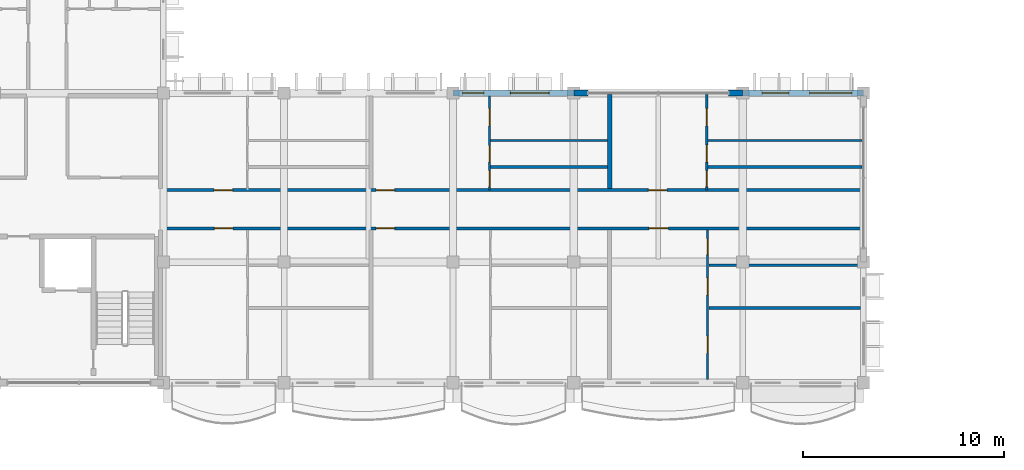
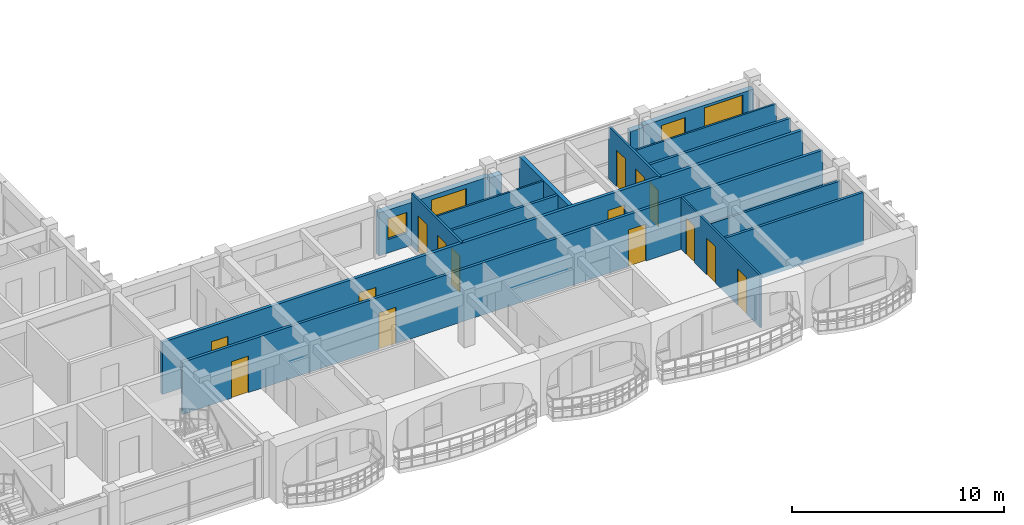
# One storey, part 26 of 76: 16 walls, 15 doors, 4 windows, 19 openings.
"""IFC4 building model written with IfcOpenShell, lengths in metres."""

from ifc_helpers import new_model, si_unit, direction, frame, frame_2d, origin, place, context, subcontext, project, spatial, rectangle, extrude, material, layer, layer_set, type_object, element, fill, save


model = new_model("IFC4")

# Units and contexts
model_context = context("Model", 3, precision=1e-05, world=origin(), true_north=direction((0.0, 1.0)))
body_context = subcontext(model_context, "Body", "Model", "MODEL_VIEW")
ifc_project = project(units=[si_unit("LENGTHUNIT", "METRE"), si_unit("AREAUNIT", "SQUARE_METRE"), si_unit("VOLUMEUNIT", "CUBIC_METRE"), si_unit("PLANEANGLEUNIT", "RADIAN"), si_unit("MASSUNIT", "GRAM", prefix="KILO"), si_unit("THERMODYNAMICTEMPERATUREUNIT", "KELVIN")], contexts=[model_context])

# Site, building, storey
site_placement = place(None, origin())
site = spatial("IfcSite", under=ifc_project, at=site_placement, CompositionType="ELEMENT")
building_placement = place(site_placement, origin())
building = spatial("IfcBuilding", under=site, at=building_placement, Name="Thalorik Housing Commons", CompositionType="ELEMENT")
storey_placement = place(building_placement, frame((0.0, 0.0, 18.0)))
storey = spatial("IfcBuildingStorey", under=building, at=storey_placement, Name="L05", CompositionType="ELEMENT", Elevation=18.0)

# Wall, openings, doors
ifc_material_1 = material(Name="Masonry fire-rated corridor wall", Category="masonry")
ifc_layer_1 = layer(ifc_material_1, 0.14990234375, Name="Masonry fire-rated corridor wall", Category="masonry")
ifc_layer_set_1 = layer_set([ifc_layer_1], Name="Masonry fire-rated corridor wall")
wall_type_1 = type_object("IfcWallType", Name="ARC-WAL-CORR-150", PredefinedType="PARTITIONING", material=ifc_layer_set_1)
wall_1_placement = place(storey_placement, frame((22.659912109375, 16.080078125, 0.0), z_axis=(0.0, 0.0, 1.0), x_axis=(1.0, 0.0, 0.0)))
wall_1 = element("IfcWall", 1, at=wall_1_placement, inside=storey, type_object=wall_type_1, Name="L05 Block C S Corridor Wall 1", PredefinedType="PARTITIONING", context=body_context, shape_type="SweptSolid", body=[
    extrude(rectangle(XDim=34.880126953125, YDim=0.14990234375, at=frame_2d((17.43994140625, 0.0))), origin(), (0.0, 0.0, 1.0), 3.0),
])
opening_1_placement = place(wall_1_placement, frame((2.671630859375, 0.0, 0.0)))
opening_1 = element("IfcOpeningElement", 2, at=opening_1_placement, cuts=wall_1, Name="Opening ID-1788", PredefinedType="OPENING", context=body_context, shape_type="SweptSolid", body=[
    extrude(rectangle(XDim=0.919921875, YDim=2.10009765625, at=frame_2d((0.4599609375, 1.050048828125))), frame((0.0, 0.0849609375, 0.0), z_axis=(0.0, -1.0, 0.0), x_axis=(1.0, 0.0, 0.0)), (0.0, 0.0, 1.0), 0.169921875),
])
opening_2_placement = place(wall_1_placement, frame((10.7099609375, 0.0, 0.0)))
opening_2 = element("IfcOpeningElement", 3, at=opening_2_placement, cuts=wall_1, Name="Opening ID-1789", PredefinedType="OPENING", context=body_context, shape_type="SweptSolid", body=[
    extrude(rectangle(XDim=0.919921875, YDim=2.10009765625, at=frame_2d((0.4599609375, 1.050048828125))), frame((0.0, 0.0849609375, 0.0), z_axis=(0.0, -1.0, 0.0), x_axis=(1.0, 0.0, 0.0)), (0.0, 0.0, 1.0), 0.169921875),
])
opening_3_placement = place(wall_1_placement, frame((24.280029296875, 0.0, 0.0)))
opening_3 = element("IfcOpeningElement", 4, at=opening_3_placement, cuts=wall_1, Name="Opening ID-1790", PredefinedType="OPENING", context=body_context, shape_type="SweptSolid", body=[
    extrude(rectangle(XDim=0.9599609375, YDim=2.1201171875, at=frame_2d((0.47998046875, 1.06005859375))), frame((0.0, 0.0849609375, 0.0), z_axis=(0.0, -1.0, 0.0), x_axis=(1.0, 0.0, 0.0)), (0.0, 0.0, 1.0), 0.169921875),
])
ifc_material_2 = material(Name="Solid core hardwood timber", Category="wood")
door_type_1 = type_object("IfcDoorType", Name="ARC-DR-FD30-920", OperationType="NOTDEFINED", PredefinedType="DOOR", material=ifc_material_2)
door_1_placement = place(opening_1_placement, origin())
door_1 = element("IfcDoor", 5, at=door_1_placement, inside=storey, type_object=door_type_1, Name="L05 Flat CS-1A Entrance Door", OperationType="SINGLE_SWING_LEFT", OverallHeight=2.10009765625, OverallWidth=0.919921875, PredefinedType="DOOR", context=body_context, shape_type="SweptSolid", body=[
    extrude(rectangle(XDim=0.919921875, YDim=2.10009765625, at=frame_2d((0.4599609375, 1.050048828125))), frame((0.0, 0.02490234375, 0.0), z_axis=(0.0, -1.0, 0.0), x_axis=(1.0, 0.0, 0.0)), (0.0, 0.0, 1.0), 0.050048828125),
])
fill(opening_1, door_1)
door_2_placement = place(opening_2_placement, origin())
door_2 = element("IfcDoor", 6, at=door_2_placement, inside=storey, type_object=door_type_1, Name="L05 Flat CS-2A Entrance Door", OperationType="SINGLE_SWING_RIGHT", OverallHeight=2.10009765625, OverallWidth=0.919921875, PredefinedType="DOOR", context=body_context, shape_type="SweptSolid", body=[
    extrude(rectangle(XDim=0.919921875, YDim=2.10009765625, at=frame_2d((0.4599609375, 1.050048828125))), frame((0.0, 0.02490234375, 0.0), z_axis=(0.0, -1.0, 0.0), x_axis=(1.0, 0.0, 0.0)), (0.0, 0.0, 1.0), 0.050048828125),
])
fill(opening_2, door_2)
door_type_2 = type_object("IfcDoorType", Name="ARC-DR-FD30-960", OperationType="NOTDEFINED", PredefinedType="DOOR", material=ifc_material_2)
door_3_placement = place(opening_3_placement, origin())
door_3 = element("IfcDoor", 7, at=door_3_placement, inside=storey, type_object=door_type_2, Name="L05 Flat CS-3A Entrance Door", OperationType="SINGLE_SWING_LEFT", OverallHeight=2.1201171875, OverallWidth=0.9599609375, PredefinedType="DOOR", context=body_context, shape_type="SweptSolid", body=[
    extrude(rectangle(XDim=0.9599609375, YDim=2.1201171875, at=frame_2d((0.47998046875, 1.06005859375))), frame((0.0, 0.02490234375, 0.0), z_axis=(0.0, -1.0, 0.0), x_axis=(1.0, 0.0, 0.0)), (0.0, 0.0, 1.0), 0.050048828125),
])
fill(opening_3, door_3)

ifc_layer_2 = layer(ifc_material_1, 0.1650390625, Name="Masonry fire-rated corridor wall", Category="masonry")
ifc_layer_set_2 = layer_set([ifc_layer_2], Name="Masonry fire-rated corridor wall")
wall_type_2 = type_object("IfcWallType", Name="ARC-WAL-CORR-165", PredefinedType="PARTITIONING", material=ifc_layer_set_2)
wall_2_placement = place(storey_placement, frame((22.659912109375, 17.97998046875, 0.0), z_axis=(0.0, 0.0, 1.0), x_axis=(1.0, 0.0, 0.0)))
wall_2 = element("IfcWall", 8, at=wall_2_placement, inside=storey, type_object=wall_type_2, Name="L05 Block C S Corridor Wall 2", PredefinedType="PARTITIONING", context=body_context, shape_type="SweptSolid", body=[
    extrude(rectangle(XDim=34.880126953125, YDim=0.1650390625, at=frame_2d((17.43994140625, 0.0))), origin(), (0.0, 0.0, 1.0), 3.0),
])
opening_4_placement = place(wall_2_placement, frame((2.663818359375, 0.0, 0.0)))
opening_4 = element("IfcOpeningElement", 9, at=opening_4_placement, cuts=wall_2, Name="Opening ID-1791", PredefinedType="OPENING", context=body_context, shape_type="SweptSolid", body=[
    extrude(rectangle(XDim=0.919921875, YDim=2.10009765625, at=frame_2d((0.4599609375, 1.050048828125))), frame((0.0, 0.092529296875, 0.0), z_axis=(0.0, -1.0, 0.0), x_axis=(1.0, 0.0, 0.0)), (0.0, 0.0, 1.0), 0.18505859375),
])
opening_5_placement = place(wall_2_placement, frame((10.7099609375, 0.0, 0.0)))
opening_5 = element("IfcOpeningElement", 10, at=opening_5_placement, cuts=wall_2, Name="Opening ID-1792", PredefinedType="OPENING", context=body_context, shape_type="SweptSolid", body=[
    extrude(rectangle(XDim=0.919921875, YDim=2.10009765625, at=frame_2d((0.4599609375, 1.050048828125))), frame((0.0, 0.092529296875, 0.0), z_axis=(0.0, -1.0, 0.0), x_axis=(1.0, 0.0, 0.0)), (0.0, 0.0, 1.0), 0.18505859375),
])
opening_6_placement = place(wall_2_placement, frame((24.25439453125, 0.0, 0.0)))
opening_6 = element("IfcOpeningElement", 11, at=opening_6_placement, cuts=wall_2, Name="Opening ID-1793", PredefinedType="OPENING", context=body_context, shape_type="SweptSolid", body=[
    extrude(rectangle(XDim=0.919921875, YDim=2.10009765625, at=frame_2d((0.4599609375, 1.050048828125))), frame((0.0, 0.092529296875, 0.0), z_axis=(0.0, -1.0, 0.0), x_axis=(1.0, 0.0, 0.0)), (0.0, 0.0, 1.0), 0.18505859375),
])
door_4_placement = place(opening_4_placement, origin())
door_4 = element("IfcDoor", 12, at=door_4_placement, inside=storey, type_object=door_type_1, Name="L05 Flat CS-1B Entrance Door", OperationType="SINGLE_SWING_RIGHT", OverallHeight=2.10009765625, OverallWidth=0.919921875, PredefinedType="DOOR", context=body_context, shape_type="SweptSolid", body=[
    extrude(rectangle(XDim=0.919921875, YDim=2.10009765625, at=frame_2d((0.4599609375, 1.050048828125))), frame((0.0, 0.02490234375, 0.0), z_axis=(0.0, -1.0, 0.0), x_axis=(1.0, 0.0, 0.0)), (0.0, 0.0, 1.0), 0.050048828125),
])
fill(opening_4, door_4)
door_5_placement = place(opening_5_placement, origin())
door_5 = element("IfcDoor", 13, at=door_5_placement, inside=storey, type_object=door_type_1, Name="L05 Flat CS-2B Entrance Door", OperationType="SINGLE_SWING_LEFT", OverallHeight=2.10009765625, OverallWidth=0.919921875, PredefinedType="DOOR", context=body_context, shape_type="SweptSolid", body=[
    extrude(rectangle(XDim=0.919921875, YDim=2.10009765625, at=frame_2d((0.4599609375, 1.050048828125))), frame((0.0, 0.02490234375, 0.0), z_axis=(0.0, -1.0, 0.0), x_axis=(1.0, 0.0, 0.0)), (0.0, 0.0, 1.0), 0.050048828125),
])
fill(opening_5, door_5)
door_6_placement = place(opening_6_placement, origin())
door_6 = element("IfcDoor", 14, at=door_6_placement, inside=storey, type_object=door_type_1, Name="L05 Flat CS-3B Entrance Door", OperationType="SINGLE_SWING_RIGHT", OverallHeight=2.10009765625, OverallWidth=0.919921875, PredefinedType="DOOR", context=body_context, shape_type="SweptSolid", body=[
    extrude(rectangle(XDim=0.919921875, YDim=2.10009765625, at=frame_2d((0.4599609375, 1.050048828125))), frame((0.0, 0.02490234375, 0.0), z_axis=(0.0, -1.0, 0.0), x_axis=(1.0, 0.0, 0.0)), (0.0, 0.0, 1.0), 0.050048828125),
])
fill(opening_6, door_6)

# Wall, openings, windows
ifc_material_3 = material(Name="White precast concrete C40/50", Category="concrete")
ifc_layer_3 = layer(ifc_material_3, 0.304931640625, Name="White precast concrete C40/50", Category="concrete")
ifc_layer_set_3 = layer_set([ifc_layer_3], Name="White precast concrete C40/50")
wall_type_3 = type_object("IfcWallType", Name="ARC-WAL-EXT-305", PredefinedType="STANDARD", material=ifc_layer_set_3)
wall_3_placement = place(storey_placement, frame((57.60009765625, 22.800048828125, 0.0), z_axis=(0.0, 0.0, 1.0), x_axis=(-1.0, 0.0, 0.0)))
wall_3 = element("IfcWall", 15, at=wall_3_placement, inside=storey, type_object=wall_type_3, Name="L05 Exterior Wall WAL-EXT-L05-C-0984", PredefinedType="STANDARD", context=body_context, shape_type="SweptSolid", body=[
    extrude(rectangle(XDim=6.0, YDim=0.304931640625, at=frame_2d((3.0, 0.0))), origin(), (0.0, 0.0, 1.0), 2.47509765625),
])
opening_7_placement = place(wall_3_placement, frame((0.580078125, 0.0, 0.780029296875)))
opening_7 = element("IfcOpeningElement", 16, at=opening_7_placement, cuts=wall_3, Name="Opening W-26", PredefinedType="OPENING", context=body_context, shape_type="SweptSolid", body=[
    extrude(rectangle(XDim=2.10009765625, YDim=1.550048828125, at=frame_2d((1.050048828125, 0.77490234375))), frame((0.0, 0.16259765625, 0.0), z_axis=(0.0, -1.0, 0.0), x_axis=(1.0, 0.0, 0.0)), (0.0, 0.0, 1.0), 0.324951171875),
])
opening_8_placement = place(wall_3_placement, frame((3.7099609375, 0.0, 0.780029296875)))
opening_8 = element("IfcOpeningElement", 17, at=opening_8_placement, cuts=wall_3, Name="Opening W-48", PredefinedType="OPENING", context=body_context, shape_type="SweptSolid", body=[
    extrude(rectangle(XDim=1.320068359375, YDim=1.35009765625, at=frame_2d((0.66015625, 0.675048828125))), frame((0.0, 0.16259765625, 0.0), z_axis=(0.0, -1.0, 0.0), x_axis=(1.0, 0.0, 0.0)), (0.0, 0.0, 1.0), 0.324951171875),
])
ifc_material_4 = material(Name="Anodised aluminium and solar-control low-E glass", Category="aluminium")
window_type_1 = type_object("IfcWindowType", Name="ARC-WIN-26", PartitioningType="DOUBLE_PANEL_VERTICAL", PredefinedType="WINDOW", material=ifc_material_4)
window_1_placement = place(opening_7_placement, origin())
window_1 = element("IfcWindow", 18, at=window_1_placement, inside=storey, type_object=window_type_1, Name="L05 Facade Window 1817", OverallHeight=1.550048828125, OverallWidth=2.10009765625, PartitioningType="DOUBLE_PANEL_VERTICAL", PredefinedType="WINDOW", context=body_context, shape_type="SweptSolid", body=[
    extrude(rectangle(XDim=2.10009765625, YDim=1.550048828125, at=frame_2d((1.050048828125, 0.77490234375))), frame((0.0, 0.030029296875, 0.0), z_axis=(0.0, -1.0, 0.0), x_axis=(1.0, 0.0, 0.0)), (0.0, 0.0, 1.0), 0.06005859375),
])
fill(opening_7, window_1)
window_type_2 = type_object("IfcWindowType", Name="ARC-WIN-48", PartitioningType="SINGLE_PANEL", PredefinedType="WINDOW", material=ifc_material_4)
window_2_placement = place(opening_8_placement, origin())
window_2 = element("IfcWindow", 19, at=window_2_placement, inside=storey, type_object=window_type_2, Name="L05 Facade Window 1818", OverallHeight=1.35009765625, OverallWidth=1.320068359375, PartitioningType="SINGLE_PANEL", PredefinedType="WINDOW", context=body_context, shape_type="SweptSolid", body=[
    extrude(rectangle(XDim=1.320068359375, YDim=1.35009765625, at=frame_2d((0.66015625, 0.675048828125))), frame((0.0, 0.030029296875, 0.0), z_axis=(0.0, -1.0, 0.0), x_axis=(1.0, 0.0, 0.0)), (0.0, 0.0, 1.0), 0.06005859375),
])
fill(opening_8, window_2)

# Walls
wall_4_placement = place(storey_placement, frame((51.60009765625, 22.800048828125, 0.0), z_axis=(0.0, 0.0, 1.0), x_axis=(-1.0, 0.0, 0.0)))
element("IfcWall", 20, at=wall_4_placement, inside=storey, type_object=wall_type_3, Name="L05 Exterior Wall WAL-PIERL-L05-C-0985", PredefinedType="STANDARD", context=body_context, shape_type="SweptSolid", body=[
    extrude(rectangle(XDim=0.7001953125, YDim=0.304931640625, at=frame_2d((0.35009765625, 0.0))), origin(), (0.0, 0.0, 1.0), 2.375),
])
wall_5_placement = place(storey_placement, frame((43.89990234375, 22.800048828125, 0.0), z_axis=(0.0, 0.0, 1.0), x_axis=(-1.0, 0.0, 0.0)))
element("IfcWall", 21, at=wall_5_placement, inside=storey, type_object=wall_type_3, Name="L05 Exterior Wall WAL-PIERR-L05-C-0985", PredefinedType="STANDARD", context=body_context, shape_type="SweptSolid", body=[
    extrude(rectangle(XDim=0.699951171875, YDim=0.304931640625, at=frame_2d((0.35009765625, 0.0))), origin(), (0.0, 0.0, 1.0), 2.375),
])

# Wall, openings, windows
wall_6_placement = place(storey_placement, frame((43.199951171875, 22.800048828125, 0.0), z_axis=(0.0, 0.0, 1.0), x_axis=(-1.0, 0.0, 0.0)))
wall_6 = element("IfcWall", 22, at=wall_6_placement, inside=storey, type_object=wall_type_3, Name="L05 Exterior Wall WAL-EXT-L05-C-0986", PredefinedType="STANDARD", context=body_context, shape_type="SweptSolid", body=[
    extrude(rectangle(XDim=6.0, YDim=0.304931640625, at=frame_2d((3.0, 0.0))), origin(), (0.0, 0.0, 1.0), 2.47509765625),
])
opening_9_placement = place(wall_6_placement, frame((1.228515625, 0.0, 0.780029296875)))
opening_9 = element("IfcOpeningElement", 23, at=opening_9_placement, cuts=wall_6, Name="Opening W-60", PredefinedType="OPENING", context=body_context, shape_type="SweptSolid", body=[
    extrude(rectangle(XDim=1.919921875, YDim=1.43994140625, at=frame_2d((0.9599609375, 0.719970703125))), frame((0.0, 0.16259765625, 0.0), z_axis=(0.0, -1.0, 0.0), x_axis=(1.0, 0.0, 0.0)), (0.0, 0.0, 1.0), 0.324951171875),
])
opening_10_placement = place(wall_6_placement, frame((4.4736328125, 0.0, 0.780029296875)))
opening_10 = element("IfcOpeningElement", 24, at=opening_10_placement, cuts=wall_6, Name="Opening W-44", PredefinedType="OPENING", context=body_context, shape_type="SweptSolid", body=[
    extrude(rectangle(XDim=1.050048828125, YDim=1.199951171875, at=frame_2d((0.52490234375, 0.60009765625))), frame((0.0, 0.16259765625, 0.0), z_axis=(0.0, -1.0, 0.0), x_axis=(1.0, 0.0, 0.0)), (0.0, 0.0, 1.0), 0.324951171875),
])
window_type_3 = type_object("IfcWindowType", Name="ARC-WIN-44", PartitioningType="SINGLE_PANEL", PredefinedType="WINDOW", material=ifc_material_4)
window_3_placement = place(opening_10_placement, origin())
window_3 = element("IfcWindow", 25, at=window_3_placement, inside=storey, type_object=window_type_3, Name="L05 Facade Window 1820", OverallHeight=1.199951171875, OverallWidth=1.050048828125, PartitioningType="SINGLE_PANEL", PredefinedType="WINDOW", context=body_context, shape_type="SweptSolid", body=[
    extrude(rectangle(XDim=1.050048828125, YDim=1.199951171875, at=frame_2d((0.52490234375, 0.60009765625))), frame((0.0, 0.030029296875, 0.0), z_axis=(0.0, -1.0, 0.0), x_axis=(1.0, 0.0, 0.0)), (0.0, 0.0, 1.0), 0.06005859375),
])
fill(opening_10, window_3)
window_type_4 = type_object("IfcWindowType", Name="ARC-WIN-60", PartitioningType="DOUBLE_PANEL_VERTICAL", PredefinedType="WINDOW", material=ifc_material_4)
window_4_placement = place(opening_9_placement, origin())
window_4 = element("IfcWindow", 26, at=window_4_placement, inside=storey, type_object=window_type_4, Name="L05 Facade Window 1819", OverallHeight=1.43994140625, OverallWidth=1.919921875, PartitioningType="DOUBLE_PANEL_VERTICAL", PredefinedType="WINDOW", context=body_context, shape_type="SweptSolid", body=[
    extrude(rectangle(XDim=1.919921875, YDim=1.43994140625, at=frame_2d((0.9599609375, 0.719970703125))), frame((0.0, 0.030029296875, 0.0), z_axis=(0.0, -1.0, 0.0), x_axis=(1.0, 0.0, 0.0)), (0.0, 0.0, 1.0), 0.06005859375),
])
fill(opening_9, window_4)

# Wall
ifc_material_5 = material(Name="Gypsum light stud partition", Category="masonry")
ifc_layer_4 = layer(ifc_material_5, 0.10009765625, Name="Gypsum light stud partition", Category="masonry")
ifc_layer_set_4 = layer_set([ifc_layer_4], Name="Gypsum light stud partition")
wall_type_4 = type_object("IfcWallType", Name="ARC-WAL-PART-100", PredefinedType="PARTITIONING", material=ifc_layer_set_4)
wall_7_placement = place(storey_placement, frame((39.072265625, 20.455078125, 0.0), z_axis=(0.0, 0.0, 1.0), x_axis=(1.0, 0.0, 0.0)))
element("IfcWall", 27, at=wall_7_placement, inside=storey, type_object=wall_type_4, Name="L05 Unit 2B Bedroom Partition", PredefinedType="PARTITIONING", context=body_context, shape_type="SweptSolid", body=[
    extrude(rectangle(XDim=5.795654296875, YDim=0.10009765625, at=frame_2d((2.89794921875, 0.0))), origin(), (0.0, 0.0, 1.0), 3.0),
])

# Wall, openings, doors
wall_8_placement = place(storey_placement, frame((49.860107421875, 8.554443359375, 0.0), z_axis=(0.0, 0.0, 1.0), x_axis=(0.0, 1.0, 0.0)))
wall_8 = element("IfcWall", 28, at=wall_8_placement, inside=storey, type_object=wall_type_4, Name="L05 Unit 3 Spine Partition", PredefinedType="PARTITIONING", context=body_context, shape_type="SweptSolid", body=[
    extrude(rectangle(XDim=7.448486328125, YDim=0.10009765625, at=frame_2d((3.72412109375, 0.0))), origin(), (0.0, 0.0, 1.0), 3.0),
])
opening_11_placement = place(wall_8_placement, frame((1.309326171875, 0.0, 0.0)))
opening_11 = element("IfcOpeningElement", 29, at=opening_11_placement, cuts=wall_8, Name="Opening ID-1782", PredefinedType="OPENING", context=body_context, shape_type="SweptSolid", body=[
    extrude(rectangle(XDim=0.85009765625, YDim=2.10009765625, at=frame_2d((0.425048828125, 1.050048828125))), frame((0.0, 0.06005859375, 0.0), z_axis=(0.0, -1.0, 0.0), x_axis=(1.0, 0.0, 0.0)), (0.0, 0.0, 1.0), 0.1201171875),
])
opening_12_placement = place(wall_8_placement, frame((4.204833984375, 0.0, 0.0)))
opening_12 = element("IfcOpeningElement", 30, at=opening_12_placement, cuts=wall_8, Name="Opening ID-1783", PredefinedType="OPENING", context=body_context, shape_type="SweptSolid", body=[
    extrude(rectangle(XDim=0.85009765625, YDim=2.10009765625, at=frame_2d((0.425048828125, 1.050048828125))), frame((0.0, 0.06005859375, 0.0), z_axis=(0.0, -1.0, 0.0), x_axis=(1.0, 0.0, 0.0)), (0.0, 0.0, 1.0), 0.1201171875),
])
opening_13_placement = place(wall_8_placement, frame((6.211181640625, 0.0, 0.0)))
opening_13 = element("IfcOpeningElement", 31, at=opening_13_placement, cuts=wall_8, Name="Opening ID-1784", PredefinedType="OPENING", context=body_context, shape_type="SweptSolid", body=[
    extrude(rectangle(XDim=0.800048828125, YDim=2.10009765625, at=frame_2d((0.39990234375, 1.050048828125))), frame((0.0, 0.06005859375, 0.0), z_axis=(0.0, -1.0, 0.0), x_axis=(1.0, 0.0, 0.0)), (0.0, 0.0, 1.0), 0.1201171875),
])
ifc_material_6 = material(Name="Moisture-resistant timber", Category="wood")
door_type_3 = type_object("IfcDoorType", Name="ARC-DR-INT-800", OperationType="NOTDEFINED", PredefinedType="DOOR", material=ifc_material_6)
door_7_placement = place(opening_13_placement, origin())
door_7 = element("IfcDoor", 32, at=door_7_placement, inside=storey, type_object=door_type_3, Name="L05 Flat Bathroom Door", OperationType="SINGLE_SWING_LEFT", OverallHeight=2.10009765625, OverallWidth=0.800048828125, PredefinedType="DOOR", context=body_context, shape_type="SweptSolid", body=[
    extrude(rectangle(XDim=0.800048828125, YDim=2.10009765625, at=frame_2d((0.39990234375, 1.050048828125))), frame((0.0, 0.02490234375, 0.0), z_axis=(0.0, -1.0, 0.0), x_axis=(1.0, 0.0, 0.0)), (0.0, 0.0, 1.0), 0.050048828125),
])
fill(opening_13, door_7)
ifc_material_7 = material(Name="Engineered oak timber", Category="wood")
door_type_4 = type_object("IfcDoorType", Name="ARC-DR-INT-850", OperationType="NOTDEFINED", PredefinedType="DOOR", material=ifc_material_7)
door_8_placement = place(opening_11_placement, origin())
door_8 = element("IfcDoor", 33, at=door_8_placement, inside=storey, type_object=door_type_4, Name="L05 Master Bedroom Door", OperationType="SINGLE_SWING_LEFT", OverallHeight=2.10009765625, OverallWidth=0.85009765625, PredefinedType="DOOR", context=body_context, shape_type="SweptSolid", body=[
    extrude(rectangle(XDim=0.85009765625, YDim=2.10009765625, at=frame_2d((0.425048828125, 1.050048828125))), frame((0.0, 0.02490234375, 0.0), z_axis=(0.0, -1.0, 0.0), x_axis=(1.0, 0.0, 0.0)), (0.0, 0.0, 1.0), 0.050048828125),
])
fill(opening_11, door_8)
door_9_placement = place(opening_12_placement, origin())
door_9 = element("IfcDoor", 34, at=door_9_placement, inside=storey, type_object=door_type_4, Name="L05 Eat-In Kitchen Door", OperationType="SINGLE_SWING_RIGHT", OverallHeight=2.10009765625, OverallWidth=0.85009765625, PredefinedType="DOOR", context=body_context, shape_type="SweptSolid", body=[
    extrude(rectangle(XDim=0.85009765625, YDim=2.10009765625, at=frame_2d((0.425048828125, 1.050048828125))), frame((0.0, 0.02490234375, 0.0), z_axis=(0.0, -1.0, 0.0), x_axis=(1.0, 0.0, 0.0)), (0.0, 0.0, 1.0), 0.050048828125),
])
fill(opening_12, door_9)

# Wall
wall_9_placement = place(storey_placement, frame((49.868408203125, 20.455078125, 0.0), z_axis=(0.0, 0.0, 1.0), x_axis=(1.0, 0.0, 0.0)))
element("IfcWall", 35, at=wall_9_placement, inside=storey, type_object=wall_type_4, Name="L05 Unit 3B Bedroom Partition", PredefinedType="PARTITIONING", context=body_context, shape_type="SweptSolid", body=[
    extrude(rectangle(XDim=7.671630859375, YDim=0.10009765625, at=frame_2d((3.8359375, 0.0))), origin(), (0.0, 0.0, 1.0), 3.0),
])

# Wall, openings, doors
ifc_material_8 = material(Name="Gypsum moisture-resistant partition", Category="masonry")
ifc_layer_5 = layer(ifc_material_8, 0.114990234375, Name="Gypsum moisture-resistant partition", Category="masonry")
ifc_layer_set_5 = layer_set([ifc_layer_5], Name="Gypsum moisture-resistant partition")
wall_type_5 = type_object("IfcWallType", Name="ARC-WAL-PART-115", PredefinedType="PARTITIONING", material=ifc_layer_set_5)
wall_10_placement = place(storey_placement, frame((39.0126953125, 17.97998046875, 0.0), z_axis=(0.0, 0.0, 1.0), x_axis=(0.0, 1.0, 0.0)))
wall_10 = element("IfcWall", 36, at=wall_10_placement, inside=storey, type_object=wall_type_5, Name="L05 Unit 2B Spine Partition", PredefinedType="PARTITIONING", context=body_context, shape_type="SweptSolid", body=[
    extrude(rectangle(XDim=4.66552734375, YDim=0.114990234375, at=frame_2d((2.332763671875, 0.0))), origin(), (0.0, 0.0, 1.0), 3.0),
])
opening_14_placement = place(wall_10_placement, frame((0.171142578125, 0.0, 0.0)))
opening_14 = element("IfcOpeningElement", 37, at=opening_14_placement, cuts=wall_10, Name="Opening ID-1779", PredefinedType="OPENING", context=body_context, shape_type="SweptSolid", body=[
    extrude(rectangle(XDim=0.800048828125, YDim=2.10009765625, at=frame_2d((0.39990234375, 1.050048828125))), frame((0.0, 0.0673828125, 0.0), z_axis=(0.0, -1.0, 0.0), x_axis=(1.0, 0.0, 0.0)), (0.0, 0.0, 1.0), 0.135009765625),
])
opening_15_placement = place(wall_10_placement, frame((1.3837890625, 0.0, 0.0)))
opening_15 = element("IfcOpeningElement", 38, at=opening_15_placement, cuts=wall_10, Name="Opening ID-1780", PredefinedType="OPENING", context=body_context, shape_type="SweptSolid", body=[
    extrude(rectangle(XDim=0.820068359375, YDim=2.080078125, at=frame_2d((0.41015625, 1.0400390625))), frame((0.0, 0.0673828125, 0.0), z_axis=(0.0, -1.0, 0.0), x_axis=(1.0, 0.0, 0.0)), (0.0, 0.0, 1.0), 0.135009765625),
])
opening_16_placement = place(wall_10_placement, frame((3.192626953125, 0.0, 0.0)))
opening_16 = element("IfcOpeningElement", 39, at=opening_16_placement, cuts=wall_10, Name="Opening ID-1781", PredefinedType="OPENING", context=body_context, shape_type="SweptSolid", body=[
    extrude(rectangle(XDim=0.85009765625, YDim=2.10009765625, at=frame_2d((0.425048828125, 1.050048828125))), frame((0.0, 0.0673828125, 0.0), z_axis=(0.0, -1.0, 0.0), x_axis=(1.0, 0.0, 0.0)), (0.0, 0.0, 1.0), 0.135009765625),
])
door_10_placement = place(opening_14_placement, origin())
door_10 = element("IfcDoor", 40, at=door_10_placement, inside=storey, type_object=door_type_3, Name="L05 Accessible Bathroom Door", OperationType="SINGLE_SWING_RIGHT", OverallHeight=2.10009765625, OverallWidth=0.800048828125, PredefinedType="DOOR", context=body_context, shape_type="SweptSolid", body=[
    extrude(rectangle(XDim=0.800048828125, YDim=2.10009765625, at=frame_2d((0.39990234375, 1.050048828125))), frame((0.0, 0.02490234375, 0.0), z_axis=(0.0, -1.0, 0.0), x_axis=(1.0, 0.0, 0.0)), (0.0, 0.0, 1.0), 0.050048828125),
])
fill(opening_14, door_10)
door_type_5 = type_object("IfcDoorType", Name="ARC-DR-INT-820", OperationType="NOTDEFINED", PredefinedType="DOOR", material=ifc_material_7)
door_11_placement = place(opening_15_placement, origin())
door_11 = element("IfcDoor", 41, at=door_11_placement, inside=storey, type_object=door_type_5, Name="L05 Eat-In Kitchen Door", OperationType="SINGLE_SWING_LEFT", OverallHeight=2.080078125, OverallWidth=0.820068359375, PredefinedType="DOOR", context=body_context, shape_type="SweptSolid", body=[
    extrude(rectangle(XDim=0.820068359375, YDim=2.080078125, at=frame_2d((0.41015625, 1.0400390625))), frame((0.0, 0.02490234375, 0.0), z_axis=(0.0, -1.0, 0.0), x_axis=(1.0, 0.0, 0.0)), (0.0, 0.0, 1.0), 0.050048828125),
])
fill(opening_15, door_11)
door_12_placement = place(opening_16_placement, origin())
door_12 = element("IfcDoor", 42, at=door_12_placement, inside=storey, type_object=door_type_4, Name="L05 Double Bedroom Door", OperationType="SINGLE_SWING_RIGHT", OverallHeight=2.10009765625, OverallWidth=0.85009765625, PredefinedType="DOOR", context=body_context, shape_type="SweptSolid", body=[
    extrude(rectangle(XDim=0.85009765625, YDim=2.10009765625, at=frame_2d((0.425048828125, 1.050048828125))), frame((0.0, 0.02490234375, 0.0), z_axis=(0.0, -1.0, 0.0), x_axis=(1.0, 0.0, 0.0)), (0.0, 0.0, 1.0), 0.050048828125),
])
fill(opening_16, door_12)

wall_11_placement = place(storey_placement, frame((49.808837890625, 17.97998046875, 0.0), z_axis=(0.0, 0.0, 1.0), x_axis=(0.0, 1.0, 0.0)))
wall_11 = element("IfcWall", 43, at=wall_11_placement, inside=storey, type_object=wall_type_5, Name="L05 Unit 3B Spine Partition", PredefinedType="PARTITIONING", context=body_context, shape_type="SweptSolid", body=[
    extrude(rectangle(XDim=4.760009765625, YDim=0.114990234375, at=frame_2d((2.3798828125, 0.0))), origin(), (0.0, 0.0, 1.0), 3.0),
])
opening_17_placement = place(wall_11_placement, frame((0.171142578125, 0.0, 0.0)))
opening_17 = element("IfcOpeningElement", 44, at=opening_17_placement, cuts=wall_11, Name="Opening ID-1785", PredefinedType="OPENING", context=body_context, shape_type="SweptSolid", body=[
    extrude(rectangle(XDim=0.800048828125, YDim=2.10009765625, at=frame_2d((0.39990234375, 1.050048828125))), frame((0.0, 0.0673828125, 0.0), z_axis=(0.0, -1.0, 0.0), x_axis=(1.0, 0.0, 0.0)), (0.0, 0.0, 1.0), 0.135009765625),
])
opening_18_placement = place(wall_11_placement, frame((1.3837890625, 0.0, 0.0)))
opening_18 = element("IfcOpeningElement", 45, at=opening_18_placement, cuts=wall_11, Name="Opening ID-1786", PredefinedType="OPENING", context=body_context, shape_type="SweptSolid", body=[
    extrude(rectangle(XDim=0.85009765625, YDim=2.10009765625, at=frame_2d((0.425048828125, 1.050048828125))), frame((0.0, 0.0673828125, 0.0), z_axis=(0.0, -1.0, 0.0), x_axis=(1.0, 0.0, 0.0)), (0.0, 0.0, 1.0), 0.135009765625),
])
opening_19_placement = place(wall_11_placement, frame((3.192626953125, 0.0, 0.0)))
opening_19 = element("IfcOpeningElement", 46, at=opening_19_placement, cuts=wall_11, Name="Opening ID-1787", PredefinedType="OPENING", context=body_context, shape_type="SweptSolid", body=[
    extrude(rectangle(XDim=0.85009765625, YDim=2.10009765625, at=frame_2d((0.425048828125, 1.050048828125))), frame((0.0, 0.0673828125, 0.0), z_axis=(0.0, -1.0, 0.0), x_axis=(1.0, 0.0, 0.0)), (0.0, 0.0, 1.0), 0.135009765625),
])
door_13_placement = place(opening_17_placement, origin())
door_13 = element("IfcDoor", 47, at=door_13_placement, inside=storey, type_object=door_type_3, Name="L05 Flat Bathroom Door", OperationType="SINGLE_SWING_RIGHT", OverallHeight=2.10009765625, OverallWidth=0.800048828125, PredefinedType="DOOR", context=body_context, shape_type="SweptSolid", body=[
    extrude(rectangle(XDim=0.800048828125, YDim=2.10009765625, at=frame_2d((0.39990234375, 1.050048828125))), frame((0.0, 0.02490234375, 0.0), z_axis=(0.0, -1.0, 0.0), x_axis=(1.0, 0.0, 0.0)), (0.0, 0.0, 1.0), 0.050048828125),
])
fill(opening_17, door_13)
door_14_placement = place(opening_18_placement, origin())
door_14 = element("IfcDoor", 48, at=door_14_placement, inside=storey, type_object=door_type_4, Name="L05 Galley Kitchen Door", OperationType="SINGLE_SWING_LEFT", OverallHeight=2.10009765625, OverallWidth=0.85009765625, PredefinedType="DOOR", context=body_context, shape_type="SweptSolid", body=[
    extrude(rectangle(XDim=0.85009765625, YDim=2.10009765625, at=frame_2d((0.425048828125, 1.050048828125))), frame((0.0, 0.02490234375, 0.0), z_axis=(0.0, -1.0, 0.0), x_axis=(1.0, 0.0, 0.0)), (0.0, 0.0, 1.0), 0.050048828125),
])
fill(opening_18, door_14)
door_15_placement = place(opening_19_placement, origin())
door_15 = element("IfcDoor", 49, at=door_15_placement, inside=storey, type_object=door_type_4, Name="L05 Master Bedroom Door", OperationType="SINGLE_SWING_RIGHT", OverallHeight=2.10009765625, OverallWidth=0.85009765625, PredefinedType="DOOR", context=body_context, shape_type="SweptSolid", body=[
    extrude(rectangle(XDim=0.85009765625, YDim=2.10009765625, at=frame_2d((0.425048828125, 1.050048828125))), frame((0.0, 0.02490234375, 0.0), z_axis=(0.0, -1.0, 0.0), x_axis=(1.0, 0.0, 0.0)), (0.0, 0.0, 1.0), 0.050048828125),
])
fill(opening_19, door_15)

# Walls
ifc_material_9 = material(Name="Gypsum acoustic stud partition", Category="masonry")
ifc_layer_6 = layer(ifc_material_9, 0.125, Name="Gypsum acoustic stud partition", Category="masonry")
ifc_layer_set_6 = layer_set([ifc_layer_6], Name="Gypsum acoustic stud partition")
wall_type_6 = type_object("IfcWallType", Name="ARC-WAL-PART-125", PredefinedType="PARTITIONING", material=ifc_layer_set_6)
wall_12_placement = place(storey_placement, frame((49.912109375, 14.251220703125, 0.0), z_axis=(0.0, 0.0, 1.0), x_axis=(1.0, 0.0, 0.0)))
element("IfcWall", 50, at=wall_12_placement, inside=storey, type_object=wall_type_6, Name="L05 Unit 3 Wet Wall", PredefinedType="PARTITIONING", context=body_context, shape_type="SweptSolid", body=[
    extrude(rectangle(XDim=7.533447265625, YDim=0.125, at=frame_2d((3.7666015625, 0.0))), origin(), (0.0, 0.0, 1.0), 2.375),
])
ifc_material_10 = material(Name="Ceramic masonry partition wall", Category="masonry")
ifc_layer_7 = layer(ifc_material_10, 0.139892578125, Name="Ceramic masonry partition wall", Category="masonry")
ifc_layer_set_7 = layer_set([ifc_layer_7], Name="Ceramic masonry partition wall")
wall_type_7 = type_object("IfcWallType", Name="ARC-WAL-PART-140", PredefinedType="PARTITIONING", material=ifc_layer_set_7)
wall_13_placement = place(storey_placement, frame((39.072265625, 19.122314453125, 0.0), z_axis=(0.0, 0.0, 1.0), x_axis=(1.0, 0.0, 0.0)))
element("IfcWall", 51, at=wall_13_placement, inside=storey, type_object=wall_type_7, Name="L05 Unit 2B Wet Wall", PredefinedType="PARTITIONING", context=body_context, shape_type="SweptSolid", body=[
    extrude(rectangle(XDim=5.795654296875, YDim=0.139892578125, at=frame_2d((2.89794921875, 0.0))), origin(), (0.0, 0.0, 1.0), 3.0),
])
wall_14_placement = place(storey_placement, frame((49.912109375, 12.11767578125, 0.0), z_axis=(0.0, 0.0, 1.0), x_axis=(1.0, 0.0, 0.0)))
element("IfcWall", 52, at=wall_14_placement, inside=storey, type_object=wall_type_7, Name="L05 Unit 3 Bedroom Partition", PredefinedType="PARTITIONING", context=body_context, shape_type="SweptSolid", body=[
    extrude(rectangle(XDim=7.533447265625, YDim=0.139892578125, at=frame_2d((3.7666015625, 0.0))), origin(), (0.0, 0.0, 1.0), 3.0),
])
wall_15_placement = place(storey_placement, frame((49.868408203125, 19.122314453125, 0.0), z_axis=(0.0, 0.0, 1.0), x_axis=(1.0, 0.0, 0.0)))
element("IfcWall", 53, at=wall_15_placement, inside=storey, type_object=wall_type_7, Name="L05 Unit 3B Wet Wall", PredefinedType="PARTITIONING", context=body_context, shape_type="SweptSolid", body=[
    extrude(rectangle(XDim=7.671630859375, YDim=0.139892578125, at=frame_2d((3.8359375, 0.0))), origin(), (0.0, 0.0, 1.0), 3.0),
])
ifc_material_11 = material(Name="Precast concrete C40/50 acoustic wall", Category="concrete")
ifc_layer_8 = layer(ifc_material_11, 0.219970703125, Name="Precast concrete C40/50 acoustic wall", Category="concrete")
ifc_layer_set_8 = layer_set([ifc_layer_8], Name="Precast concrete C40/50 acoustic wall")
wall_type_8 = type_object("IfcWallType", Name="ARC-WAL-PARTY-220", PredefinedType="PARTITIONING", material=ifc_layer_set_8)
wall_16_placement = place(storey_placement, frame((44.97998046875, 18.064453125, 0.0), z_axis=(0.0, 0.0, 1.0), x_axis=(0.0, 1.0, 0.0)))
element("IfcWall", 54, at=wall_16_placement, inside=storey, type_object=wall_type_8, Name="L05 Inter-Tenancy Wall 2B", PredefinedType="PARTITIONING", context=body_context, shape_type="SweptSolid", body=[
    extrude(rectangle(XDim=4.675537109375, YDim=0.219970703125, at=frame_2d((2.337890625, 0.0))), origin(), (0.0, 0.0, 1.0), 3.0),
])

save(model, "model.ifc")
